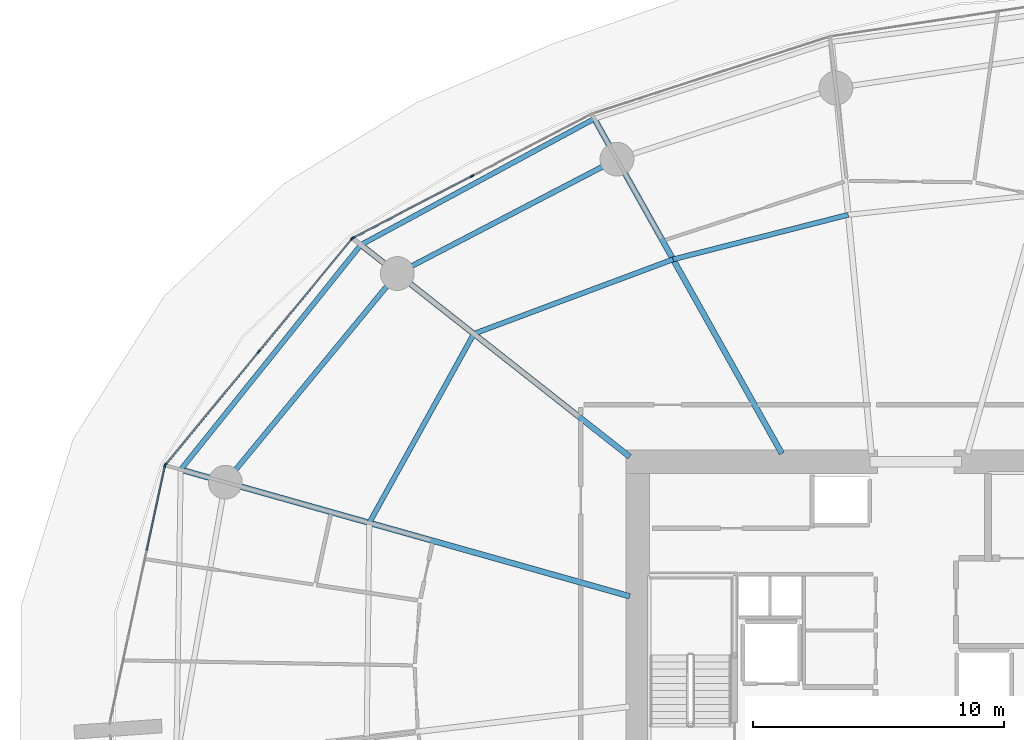
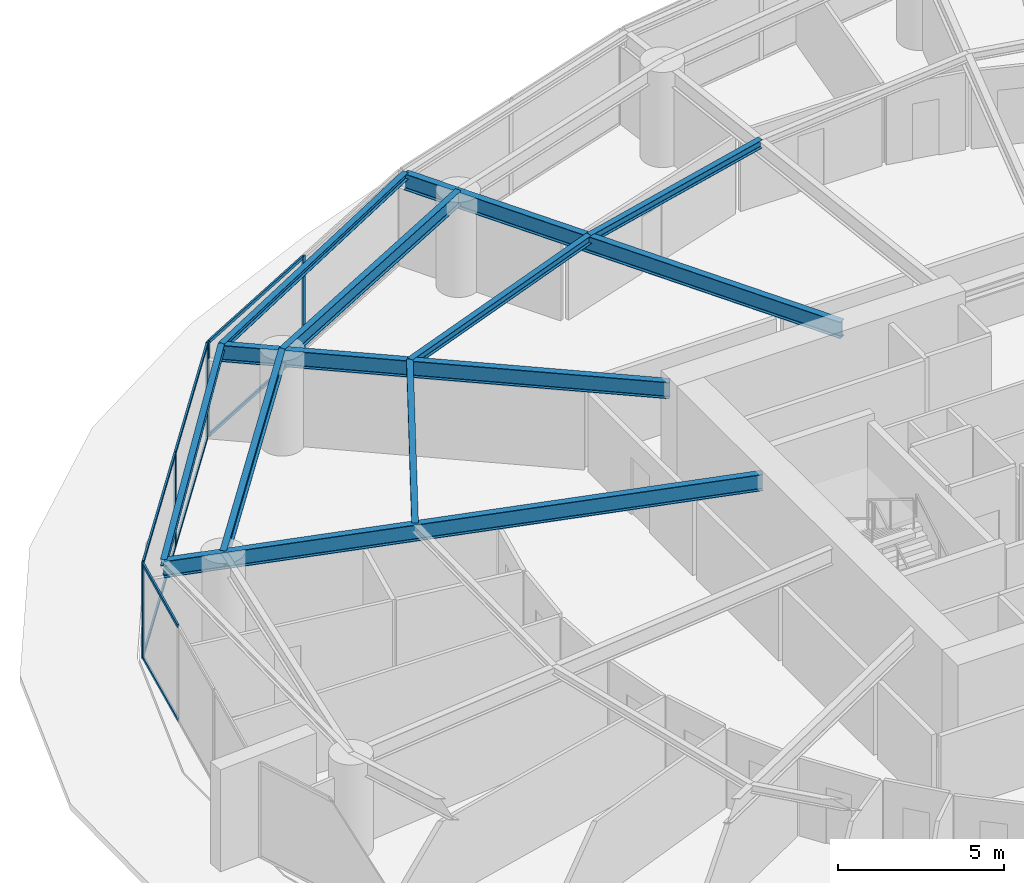
# One storey, part 11 of 22: 14 members, 10 beams, 3 elements without a shape of their own.
"""IFC4 building model written with IfcOpenShell, lengths in metres."""

from ifc_helpers import new_model, si_unit, direction, frame, origin, origin_2d, place, context, subcontext, project, spatial, rectangle, i_section, extrude, material, layer, layer_set, material_profile, profile_set, type_object, element, aggregate, save


model = new_model("IFC4")

# Units and contexts
model_context = context("Model", 3, precision=1e-05, world=origin(), true_north=direction((0.0, 1.0)))
body_context = subcontext(model_context, "Body", "Model", "MODEL_VIEW")
ifc_project = project(units=[si_unit("LENGTHUNIT", "METRE"), si_unit("AREAUNIT", "SQUARE_METRE"), si_unit("VOLUMEUNIT", "CUBIC_METRE"), si_unit("PLANEANGLEUNIT", "RADIAN"), si_unit("MASSUNIT", "GRAM", prefix="KILO")], contexts=[model_context])

# Site, building, storey
site_placement = place(None, origin())
site = spatial("IfcSite", under=ifc_project, at=site_placement, CompositionType="ELEMENT")
building_placement = place(site_placement, origin())
building = spatial("IfcBuilding", under=site, at=building_placement, Name="Kazma Halo Residences", CompositionType="ELEMENT")
storey_placement = place(building_placement, frame((0.0, 0.0, 26.39990234375)))
storey = spatial("IfcBuildingStorey", under=building, at=storey_placement, Name="L05", CompositionType="ELEMENT", Elevation=26.39990234375)

# Beams
ifc_material_1 = material(Name="Steel S355", Category="steel")
ifc_material_profile_1 = material_profile(ifc_material_1, i_section(OverallWidth=0.201904296875, OverallDepth=0.2470703125, WebThickness=0.00732421875, FlangeThickness=0.010986328125, FilletRadius=0.011962890625, at=origin_2d()), Name="W250x49.1")
ifc_profile_set_1 = profile_set([ifc_material_profile_1], Name="Steel S355")
beam_type_1 = type_object("IfcBeamType", Name="BM-BAL-CANT", PredefinedType="BEAM", material=ifc_profile_set_1)
beam_1_placement = place(storey_placement, frame((35.587646484375, 64.163818359375, 3.376708984375), z_axis=(-0.879759421466, -0.47541914175, 0.0), x_axis=(0.47541914175, -0.879759421466, 0.0)))
element("IfcBeam", 1, at=beam_1_placement, inside=storey, type_object=beam_type_1, Name="L05 wave-balcony tie beam 05", PredefinedType="BEAM", context=body_context, shape_type="SweptSolid", body=[
    extrude(i_section(OverallWidth=0.201904296875, OverallDepth=0.2470703125, WebThickness=0.00732421875, FlangeThickness=0.010986328125, FilletRadius=0.011962890625, at=origin_2d()), origin(), (0.0, 0.0, 1.0), 10.58935546875),
])
beam_2_placement = place(storey_placement, frame((26.271484375, 59.12939453125, 3.376708984375), z_axis=(-0.625476617708, -0.780242911343, 0.0), x_axis=(0.780242911343, -0.625476617708, 0.0)))
element("IfcBeam", 2, at=beam_2_placement, inside=storey, type_object=beam_type_1, Name="L05 wave-balcony tie beam 06", PredefinedType="BEAM", context=body_context, shape_type="SweptSolid", body=[
    extrude(i_section(OverallWidth=0.201904296875, OverallDepth=0.2470703125, WebThickness=0.00732421875, FlangeThickness=0.010986328125, FilletRadius=0.011962890625, at=origin_2d()), origin(), (0.0, 0.0, 1.0), 11.499755859375),
])
ifc_material_profile_2 = material_profile(ifc_material_1, i_section(OverallWidth=0.22802734375, OverallDepth=0.60791015625, WebThickness=0.01123046875, FlangeThickness=0.017333984375, FilletRadius=0.01806640625, at=origin_2d()), Name="W610x113")
ifc_profile_set_2 = profile_set([ifc_material_profile_2], Name="Steel S355")
beam_type_2 = type_object("IfcBeamType", Name="BM-RAD-W610", PredefinedType="BEAM", material=ifc_profile_set_2)
beam_3_placement = place(storey_placement, frame((43.07177734375, 50.800048828125, 3.196044921875), z_axis=(-0.488624239587, 0.872494328055, 0.0), x_axis=(-0.872494328055, -0.488624239587, 0.0)))
element("IfcBeam", 3, at=beam_3_placement, inside=storey, type_object=beam_type_2, Name="L05 radial floor beam 05", PredefinedType="BEAM", context=body_context, shape_type="SweptSolid", body=[
    extrude(i_section(OverallWidth=0.22802734375, OverallDepth=0.60791015625, WebThickness=0.01123046875, FlangeThickness=0.017333984375, FilletRadius=0.01806640625, at=origin_2d()), origin(), (0.0, 0.0, 1.0), 15.316650390625),
])
beam_4_placement = place(storey_placement, frame((37.0, 50.671630859375, 3.196044921875), z_axis=(-0.78531394447, 0.619097737536, 0.0), x_axis=(-0.619097737536, -0.78531394447, 0.0)))
element("IfcBeam", 4, at=beam_4_placement, inside=storey, type_object=beam_type_2, Name="L05 radial floor beam 06", PredefinedType="BEAM", context=body_context, shape_type="SweptSolid", body=[
    extrude(i_section(OverallWidth=0.22802734375, OverallDepth=0.60791015625, WebThickness=0.01123046875, FlangeThickness=0.017333984375, FilletRadius=0.01806640625, at=origin_2d()), origin(), (0.0, 0.0, 1.0), 13.661376953125),
])
beam_5_placement = place(storey_placement, frame((37.0, 45.102294921875, 3.196044921875), z_axis=(-0.962453979784, 0.271444905641, 0.0), x_axis=(-0.271444905641, -0.962453979784, 0.0)))
element("IfcBeam", 5, at=beam_5_placement, inside=storey, type_object=beam_type_2, Name="L05 radial floor beam 07", PredefinedType="BEAM", context=body_context, shape_type="SweptSolid", body=[
    extrude(i_section(OverallWidth=0.22802734375, OverallDepth=0.60791015625, WebThickness=0.01123046875, FlangeThickness=0.017333984375, FilletRadius=0.01806640625, at=origin_2d()), origin(), (0.0, 0.0, 1.0), 18.62060546875),
])
ifc_material_profile_3 = material_profile(ifc_material_1, i_section(OverallWidth=0.202880859375, OverallDepth=0.302978515625, WebThickness=0.007568359375, FlangeThickness=0.01318359375, FilletRadius=0.013916015625, at=origin_2d()), Name="W310x60")
ifc_profile_set_3 = profile_set([ifc_material_profile_3], Name="Steel S355")
beam_type_3 = type_object("IfcBeamType", Name="BM-SEC-W310A", PredefinedType="JOIST", material=ifc_profile_set_3)
beam_6_placement = place(storey_placement, frame((45.7236328125, 60.329833984375, 3.3486328125), z_axis=(-0.969127021388, -0.246561993047, 0.0), x_axis=(0.246561993047, -0.969127021388, 0.0)))
element("IfcBeam", 6, at=beam_6_placement, inside=storey, type_object=beam_type_3, Name="L05 circumferential floor joist 04", PredefinedType="JOIST", context=body_context, shape_type="SweptSolid", body=[
    extrude(i_section(OverallWidth=0.202880859375, OverallDepth=0.302978515625, WebThickness=0.007568359375, FlangeThickness=0.01318359375, FilletRadius=0.013916015625, at=origin_2d()), origin(), (0.0, 0.0, 1.0), 7.21533203125),
])
beam_7_placement = place(storey_placement, frame((38.73095703125, 58.55078125, 3.3486328125), z_axis=(-0.936676104069, -0.350196910417, 0.0), x_axis=(0.350196910417, -0.936676104069, 0.0)))
element("IfcBeam", 7, at=beam_7_placement, inside=storey, type_object=beam_type_3, Name="L05 circumferential floor joist 05", PredefinedType="JOIST", context=body_context, shape_type="SweptSolid", body=[
    extrude(i_section(OverallWidth=0.202880859375, OverallDepth=0.302978515625, WebThickness=0.007568359375, FlangeThickness=0.01318359375, FilletRadius=0.013916015625, at=origin_2d()), origin(), (0.0, 0.0, 1.0), 8.4912109375),
])
beam_8_placement = place(storey_placement, frame((30.77734375, 55.5771484375, 3.3486328125), z_axis=(-0.483953872195, -0.875093509054, 0.0), x_axis=(0.875093509054, -0.483953872195, 0.0)))
element("IfcBeam", 8, at=beam_8_placement, inside=storey, type_object=beam_type_3, Name="L05 circumferential floor joist 06", PredefinedType="JOIST", context=body_context, shape_type="SweptSolid", body=[
    extrude(i_section(OverallWidth=0.202880859375, OverallDepth=0.302978515625, WebThickness=0.007568359375, FlangeThickness=0.01318359375, FilletRadius=0.013916015625, at=origin_2d()), origin(), (0.0, 0.0, 1.0), 8.619873046875),
])
ifc_material_profile_4 = material_profile(ifc_material_1, i_section(OverallWidth=0.208984375, OverallDepth=0.532958984375, WebThickness=0.01025390625, FlangeThickness=0.015625, FilletRadius=0.01611328125, at=origin_2d()), Name="W530x92")
ifc_profile_set_4 = profile_set([ifc_material_profile_4], Name="Steel S355")
beam_type_4 = type_object("IfcBeamType", Name="BM-SPN-W530", PredefinedType="BEAM", material=ifc_profile_set_4)
beam_9_placement = place(storey_placement, frame((36.49169921875, 62.549560546875, 3.233642578125), z_axis=(-0.886956241699, -0.461853467358, 0.0), x_axis=(0.461853467358, -0.886956241699, 0.0)))
element("IfcBeam", 9, at=beam_9_placement, inside=storey, type_object=beam_type_4, Name="L05 perimeter ring beam 05", PredefinedType="BEAM", context=body_context, shape_type="SweptSolid", body=[
    extrude(i_section(OverallWidth=0.208984375, OverallDepth=0.532958984375, WebThickness=0.01025390625, FlangeThickness=0.015625, FilletRadius=0.01611328125, at=origin_2d()), origin(), (0.0, 0.0, 1.0), 9.885009765625),
])
beam_10_placement = place(storey_placement, frame((27.72412109375, 57.984130859375, 3.233642578125), z_axis=(-0.636001336663, -0.771687954916, 0.0), x_axis=(0.771687954916, -0.636001336663, 0.0)))
element("IfcBeam", 10, at=beam_10_placement, inside=storey, type_object=beam_type_4, Name="L05 perimeter ring beam 06", PredefinedType="BEAM", context=body_context, shape_type="SweptSolid", body=[
    extrude(i_section(OverallWidth=0.208984375, OverallDepth=0.532958984375, WebThickness=0.01025390625, FlangeThickness=0.015625, FilletRadius=0.01611328125, at=origin_2d()), origin(), (0.0, 0.0, 1.0), 10.7939453125),
])

# Curtain wall, members
ifc_material_2 = material(Name="Aluminium AW-6063 T6 and Triple-Silver Low-E Glass", Category="aluminium")
ifc_layer = layer(ifc_material_2, 0.159912109375)
ifc_layer_set = layer_set([ifc_layer], Name="Aluminium AW-6063 T6 and Triple-Silver Low-E Glass")
curtain_wall_type = type_object("IfcCurtainWallType", Name="CW-SYS-2", PredefinedType="NOTDEFINED", material=ifc_layer_set)
curtain_wall_1_placement = place(storey_placement, origin())
curtain_wall_1 = element("IfcCurtainWall", 11, at=curtain_wall_1_placement, inside=storey, type_object=curtain_wall_type, Name="L05 unitised curtain wall B05", PredefinedType="NOTDEFINED")
ifc_material_3 = material(Name="Aluminium AW-6063 T6", Category="aluminium")
ifc_material_profile_5 = material_profile(ifc_material_3, rectangle(XDim=0.06005859375, YDim=0.159912109375, at=origin_2d()), Name="CWM-60x160")
ifc_profile_set_5 = profile_set([ifc_material_profile_5], Name="Aluminium AW-6063 T6")
member_type_1 = type_object("IfcMemberType", Name="CW-SYS-2-MUL", PredefinedType="MULLION", material=ifc_profile_set_5)
member_1_placement = place(storey_placement, frame((30.7080078125, 61.874267578125, 0.0), z_axis=(0.0, 0.0, 1.0), x_axis=(0.460995912628, -0.887402258584, 0.0)))
member_1 = element("IfcMember", 12, at=member_1_placement, type_object=member_type_1, Name="CWS-2 mullion 2", PredefinedType="MULLION", context=body_context, shape_type="SweptSolid", body=[
    extrude(rectangle(XDim=0.06005859375, YDim=0.159912109375, at=origin_2d()), origin(), (0.0, 0.0, 1.0), 3.5),
])
member_2_placement = place(storey_placement, frame((25.96142578125, 59.408447265625, 0.0), z_axis=(0.0, 0.0, 1.0), x_axis=(0.460995912628, -0.887402258584, 0.0)))
member_2 = element("IfcMember", 13, at=member_2_placement, type_object=member_type_1, Name="CWS-2 mullion 3", PredefinedType="MULLION", context=body_context, shape_type="SweptSolid", body=[
    extrude(rectangle(XDim=0.06005859375, YDim=0.159912109375, at=origin_2d()), origin(), (0.0, 0.0, 1.0), 3.5),
])

curtain_wall_2_placement = place(storey_placement, origin())
curtain_wall_2 = element("IfcCurtainWall", 14, at=curtain_wall_2_placement, inside=storey, type_object=curtain_wall_type, Name="L05 unitised curtain wall B06", PredefinedType="NOTDEFINED")
member_3_placement = place(storey_placement, frame((25.915771484375, 59.37158203125, 0.0), z_axis=(0.0, 0.0, 1.0), x_axis=(0.771135218369, -0.63667140268, 0.0)))
member_3 = element("IfcMember", 15, at=member_3_placement, type_object=member_type_1, Name="CWS-2 mullion 1", PredefinedType="MULLION", context=body_context, shape_type="SweptSolid", body=[
    extrude(rectangle(XDim=0.06005859375, YDim=0.159912109375, at=origin_2d()), origin(), (0.0, 0.0, 1.0), 3.5),
])
member_4_placement = place(storey_placement, frame((22.194091796875, 54.86376953125, 0.0), z_axis=(0.0, 0.0, 1.0), x_axis=(0.771135218369, -0.63667140268, 0.0)))
member_4 = element("IfcMember", 16, at=member_4_placement, type_object=member_type_1, Name="CWS-2 mullion 2", PredefinedType="MULLION", context=body_context, shape_type="SweptSolid", body=[
    extrude(rectangle(XDim=0.06005859375, YDim=0.159912109375, at=origin_2d()), origin(), (0.0, 0.0, 1.0), 3.5),
])
member_5_placement = place(storey_placement, frame((18.472412109375, 50.356201171875, 0.0), z_axis=(0.0, 0.0, 1.0), x_axis=(0.771135218369, -0.63667140268, 0.0)))
member_5 = element("IfcMember", 17, at=member_5_placement, type_object=member_type_1, Name="CWS-2 mullion 3", PredefinedType="MULLION", context=body_context, shape_type="SweptSolid", body=[
    extrude(rectangle(XDim=0.06005859375, YDim=0.159912109375, at=origin_2d()), origin(), (0.0, 0.0, 1.0), 3.5),
])

# Curtain wall, member
curtain_wall_3_placement = place(storey_placement, origin())
curtain_wall_3 = element("IfcCurtainWall", 18, at=curtain_wall_3_placement, inside=storey, type_object=curtain_wall_type, Name="L05 unitised curtain wall B07", PredefinedType="NOTDEFINED")
member_6_placement = place(storey_placement, frame((18.447021484375, 50.3037109375, 0.0), z_axis=(0.0, 0.0, 1.0), x_axis=(0.977779215096, -0.209637321406, 0.0)))
member_6 = element("IfcMember", 19, at=member_6_placement, type_object=member_type_1, Name="CWS-2 mullion 1", PredefinedType="MULLION", context=body_context, shape_type="SweptSolid", body=[
    extrude(rectangle(XDim=0.06005859375, YDim=0.159912109375, at=origin_2d()), origin(), (0.0, 0.0, 1.0), 3.5),
])

# Member
ifc_material_profile_6 = material_profile(ifc_material_3, rectangle(XDim=0.06005859375, YDim=0.1201171875, at=origin_2d()), Name="CWT-60x120")
ifc_profile_set_6 = profile_set([ifc_material_profile_6], Name="Aluminium AW-6063 T6")
member_type_2 = type_object("IfcMemberType", Name="CW-SYS-2-TRN", PredefinedType="USERDEFINED", material=ifc_profile_set_6)
member_7_placement = place(storey_placement, frame((30.681396484375, 61.8603515625, 0.030029296875), z_axis=(-0.887414738583, -0.460971888238, 0.0), x_axis=(0.460971888238, -0.887414738583, 0.0)))
member_7 = element("IfcMember", 20, at=member_7_placement, type_object=member_type_2, Name="CWS-2 transom 2.1", ObjectType="TRANSOM", PredefinedType="USERDEFINED", context=body_context, shape_type="SweptSolid", body=[
    extrude(rectangle(XDim=0.06005859375, YDim=0.1201171875, at=origin_2d()), origin(), (0.0, 0.0, 1.0), 5.288818359375),
])

member_8_placement = place(storey_placement, frame((30.681396484375, 61.8603515625, 3.47021484375), z_axis=(-0.887414738583, -0.460971888238, 0.0), x_axis=(0.460971888238, -0.887414738583, 0.0)))
member_8 = element("IfcMember", 21, at=member_8_placement, type_object=member_type_2, Name="CWS-2 transom 2.2", ObjectType="TRANSOM", PredefinedType="USERDEFINED", context=body_context, shape_type="SweptSolid", body=[
    extrude(rectangle(XDim=0.06005859375, YDim=0.1201171875, at=origin_2d()), origin(), (0.0, 0.0, 1.0), 5.288818359375),
])

aggregate(curtain_wall_1, [member_1, member_2, member_7, member_8])

member_9_placement = place(storey_placement, frame((25.896728515625, 59.348388671875, 0.030029296875), z_axis=(-0.636682953199, -0.771125681784, 0.0), x_axis=(0.771125681784, -0.636682953199, 0.0)))
member_9 = element("IfcMember", 22, at=member_9_placement, type_object=member_type_2, Name="CWS-2 transom 1.1", ObjectType="TRANSOM", PredefinedType="USERDEFINED", context=body_context, shape_type="SweptSolid", body=[
    extrude(rectangle(XDim=0.06005859375, YDim=0.1201171875, at=origin_2d()), origin(), (0.0, 0.0, 1.0), 5.78564453125),
])

member_10_placement = place(storey_placement, frame((25.896728515625, 59.348388671875, 3.47021484375), z_axis=(-0.636682953199, -0.771125681784, 0.0), x_axis=(0.771125681784, -0.636682953199, 0.0)))
member_10 = element("IfcMember", 23, at=member_10_placement, type_object=member_type_2, Name="CWS-2 transom 1.2", ObjectType="TRANSOM", PredefinedType="USERDEFINED", context=body_context, shape_type="SweptSolid", body=[
    extrude(rectangle(XDim=0.06005859375, YDim=0.1201171875, at=origin_2d()), origin(), (0.0, 0.0, 1.0), 5.78564453125),
])

member_11_placement = place(storey_placement, frame((22.175048828125, 54.8408203125, 0.030029296875), z_axis=(-0.63666223602, -0.771142786536, 0.0), x_axis=(0.771142786536, -0.63666223602, 0.0)))
member_11 = element("IfcMember", 24, at=member_11_placement, type_object=member_type_2, Name="CWS-2 transom 2.1", ObjectType="TRANSOM", PredefinedType="USERDEFINED", context=body_context, shape_type="SweptSolid", body=[
    extrude(rectangle(XDim=0.06005859375, YDim=0.1201171875, at=origin_2d()), origin(), (0.0, 0.0, 1.0), 5.785888671875),
])

member_12_placement = place(storey_placement, frame((22.175048828125, 54.8408203125, 3.47021484375), z_axis=(-0.63666223602, -0.771142786536, 0.0), x_axis=(0.771142786536, -0.63666223602, 0.0)))
member_12 = element("IfcMember", 25, at=member_12_placement, type_object=member_type_2, Name="CWS-2 transom 2.2", ObjectType="TRANSOM", PredefinedType="USERDEFINED", context=body_context, shape_type="SweptSolid", body=[
    extrude(rectangle(XDim=0.06005859375, YDim=0.1201171875, at=origin_2d()), origin(), (0.0, 0.0, 1.0), 5.785888671875),
])

aggregate(curtain_wall_2, [member_3, member_4, member_5, member_9, member_10, member_11, member_12])

member_13_placement = place(storey_placement, frame((18.440673828125, 50.2744140625, 0.030029296875), z_axis=(-0.209650877007, -0.977776308657, 0.0), x_axis=(0.977776308657, -0.209650877007, 0.0)))
member_13 = element("IfcMember", 26, at=member_13_placement, type_object=member_type_2, Name="CWS-2 transom 1.1", ObjectType="TRANSOM", PredefinedType="USERDEFINED", context=body_context, shape_type="SweptSolid", body=[
    extrude(rectangle(XDim=0.06005859375, YDim=0.1201171875, at=origin_2d()), origin(), (0.0, 0.0, 1.0), 3.422607421875),
])

member_14_placement = place(storey_placement, frame((18.440673828125, 50.2744140625, 3.47021484375), z_axis=(-0.209650877007, -0.977776308657, 0.0), x_axis=(0.977776308657, -0.209650877007, 0.0)))
member_14 = element("IfcMember", 27, at=member_14_placement, type_object=member_type_2, Name="CWS-2 transom 1.2", ObjectType="TRANSOM", PredefinedType="USERDEFINED", context=body_context, shape_type="SweptSolid", body=[
    extrude(rectangle(XDim=0.06005859375, YDim=0.1201171875, at=origin_2d()), origin(), (0.0, 0.0, 1.0), 3.422607421875),
])

aggregate(curtain_wall_3, [member_6, member_13, member_14])

save(model, "model.ifc")
